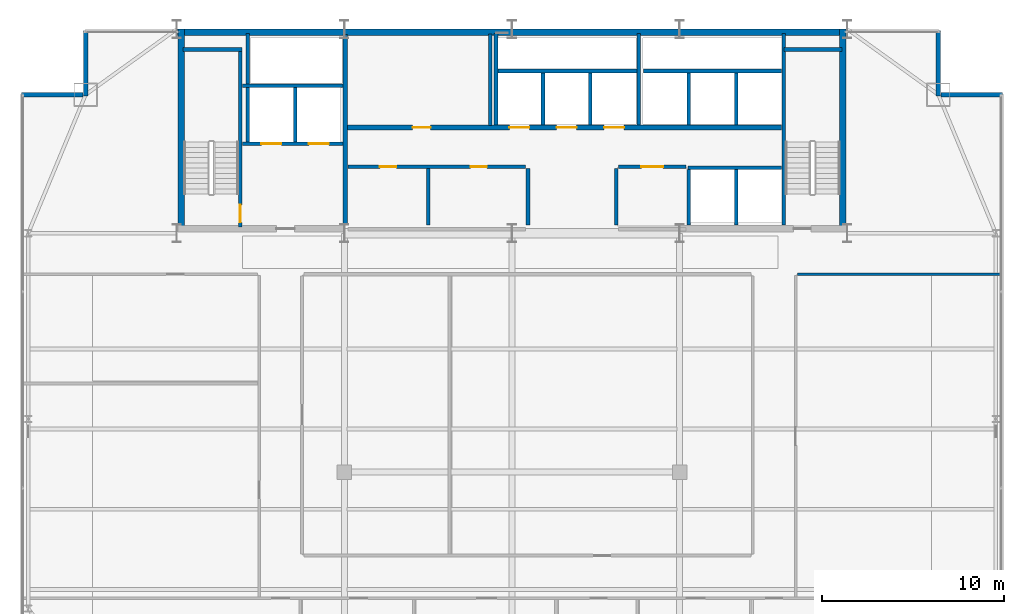
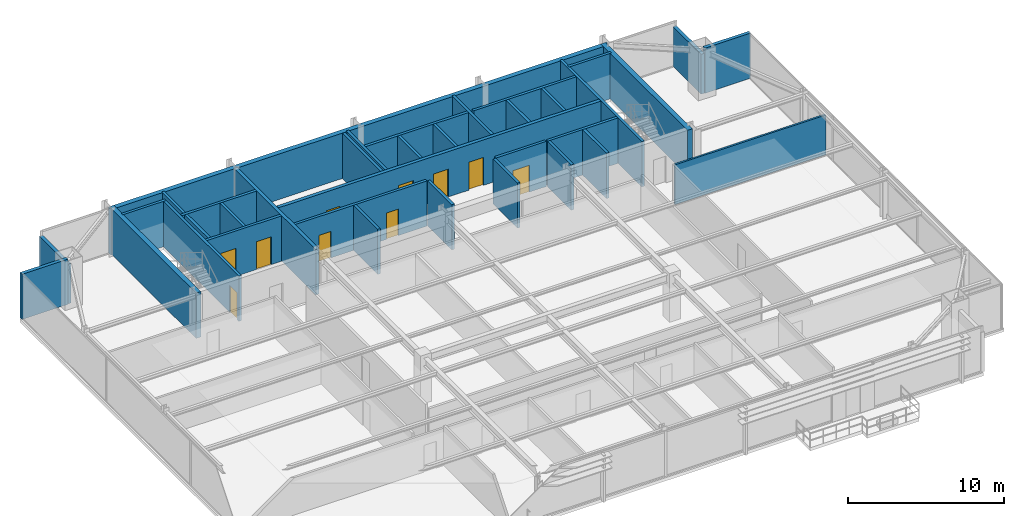
# One storey, part 27 of 30: 35 walls, 10 doors, 10 openings.
"""IFC4 building model written with IfcOpenShell, lengths in metres."""

from ifc_helpers import new_model, si_unit, direction, frame, frame_2d, origin, place, context, subcontext, project, spatial, rectangle, extrude, source, transform, mapped, material, layer, layer_set, type_object, type_shapes, element, fill, save


model = new_model("IFC4")

# Units and contexts
model_context = context("Model", 3, precision=1e-05, world=origin(), true_north=direction((0.0, 1.0)))
body_context = subcontext(model_context, "Body", "Model", "MODEL_VIEW")
ifc_project = project(units=[si_unit("LENGTHUNIT", "METRE"), si_unit("AREAUNIT", "SQUARE_METRE"), si_unit("VOLUMEUNIT", "CUBIC_METRE"), si_unit("PLANEANGLEUNIT", "RADIAN"), si_unit("MASSUNIT", "GRAM", prefix="KILO")], contexts=[model_context])

# Site, building, storey
site_placement = place(None, origin())
site = spatial("IfcSite", under=ifc_project, at=site_placement, CompositionType="ELEMENT")
building_placement = place(site_placement, origin())
building = spatial("IfcBuilding", under=site, at=building_placement, Name="Varnel Quay Broadcast Tower", CompositionType="ELEMENT")
storey_placement = place(building_placement, frame((0.0, 0.0, 168.60009765625)))
storey = spatial("IfcBuildingStorey", under=building, at=storey_placement, Name="L41", CompositionType="ELEMENT", Elevation=168.60009765625)

# Wall, opening, door
ifc_material_1 = material(Name="Concrete CSA A23.3 C50/60", Category="concrete")
ifc_layer_1 = layer(ifc_material_1, 0.199951171875, Name="Concrete CSA A23.3 C50/60")
ifc_layer_set_1 = layer_set([ifc_layer_1], Name="Concrete CSA A23.3 C50/60")
wall_type_1 = type_object("IfcWallType", Name="Wall_CoreShaftShear200", PredefinedType="SHEAR", material=ifc_layer_set_1)
wall_1_placement = place(storey_placement, frame((19.080078125, 35.949951171875, 0.0), z_axis=(0.0, 0.0, 1.0), x_axis=(0.0, 1.0, 0.0)))
wall_1 = element("IfcWall", 1, at=wall_1_placement, inside=storey, type_object=wall_type_1, Name="L41 Stair 1 East Structural Wall", PredefinedType="SHEAR", context=body_context, shape_type="SweptSolid", body=[
    extrude(rectangle(XDim=9.650146484375, YDim=0.199951171875, at=frame_2d((4.8251953125, 0.0))), origin(), (0.0, 0.0, 1.0), 3.5498046875),
])
opening_1_placement = place(wall_1_placement, frame((0.25, 0.0, 0.0)))
opening_1 = element("IfcOpeningElement", 2, at=opening_1_placement, cuts=wall_1, Name="Opening D-L41-S1", PredefinedType="OPENING", context=body_context, shape_type="SweptSolid", body=[
    extrude(rectangle(XDim=0.949951171875, YDim=2.10009765625, at=frame_2d((0.47509765625, 1.050048828125))), frame((0.0, 0.10986328125, 0.0), z_axis=(0.0, -1.0, 0.0), x_axis=(1.0, 0.0, 0.0)), (0.0, 0.0, 1.0), 0.219970703125),
])
ifc_material_2 = material(Name="Insulated Fire-Rated Hollow Steel Door", Category="steel")
door_type_1 = type_object("IfcDoorType", Name="Door_FireStair950", OperationType="NOTDEFINED", PredefinedType="DOOR", material=ifc_material_2)
shared_shape_1 = source(origin(), body_context, "Body", "SweptSolid", [
    extrude(rectangle(XDim=0.949951171875, YDim=2.10009765625, at=frame_2d((0.47509765625, 1.050048828125))), frame((0.0, 0.02490234375, 0.0), z_axis=(0.0, -1.0, 0.0), x_axis=(1.0, 0.0, 0.0)), (0.0, 0.0, 1.0), 0.050048828125),
])
type_shapes(door_type_1, [shared_shape_1])
door_1_placement = place(opening_1_placement, origin())
door_1 = element("IfcDoor", 3, at=door_1_placement, inside=storey, type_object=door_type_1, Name="L41 Stair 1 Fire Door", OperationType="SINGLE_SWING_RIGHT", OverallHeight=2.10009765625, OverallWidth=0.949951171875, PredefinedType="DOOR", context=body_context, shape_type="MappedRepresentation", body=[
    mapped(shared_shape_1, transform((0.0, 0.0, 0.0), x_axis=(1.0, 0.0, 0.0), y_axis=(0.0, 1.0, 0.0), z_axis=(0.0, 0.0, 1.0), scale=1.0)),
])
fill(opening_1, door_1)

# Wall
wall_2_placement = place(storey_placement, frame((15.949951171875, 45.679931640625, 0.0), z_axis=(0.0, 0.0, 1.0), x_axis=(1.0, 0.0, 0.0)))
element("IfcWall", 4, at=wall_2_placement, inside=storey, type_object=wall_type_1, Name="L41 Stair 1 North Structural Wall", PredefinedType="SHEAR", context=body_context, shape_type="SweptSolid", body=[
    extrude(rectangle(XDim=3.22998046875, YDim=0.199951171875, at=frame_2d((1.614990234375, 0.0))), origin(), (0.0, 0.0, 1.0), 3.5498046875),
])

# Wall, openings, doors
wall_3_placement = place(storey_placement, frame((19.199951171875, 40.5, 0.0), z_axis=(0.0, 0.0, 1.0), x_axis=(1.0, 0.0, 0.0)))
wall_3 = element("IfcWall", 5, at=wall_3_placement, inside=storey, type_object=wall_type_1, Name="L41 Firefighter Lift Shaft Front Wall", PredefinedType="SHEAR", context=body_context, shape_type="SweptSolid", body=[
    extrude(rectangle(XDim=5.52001953125, YDim=0.199951171875, at=frame_2d((2.760009765625, 0.0))), origin(), (0.0, 0.0, 1.0), 3.5498046875),
])
opening_2_placement = place(wall_3_placement, frame((1.050048828125, 0.0, 0.0)))
opening_2 = element("IfcOpeningElement", 6, at=opening_2_placement, cuts=wall_3, Name="Opening LD-L41-FE1", PredefinedType="OPENING", context=body_context, shape_type="SweptSolid", body=[
    extrude(rectangle(XDim=1.10009765625, YDim=2.179931640625, at=frame_2d((0.550048828125, 1.08984375))), frame((0.0, 0.10986328125, 0.0), z_axis=(0.0, -1.0, 0.0), x_axis=(1.0, 0.0, 0.0)), (0.0, 0.0, 1.0), 0.219970703125),
])
opening_3_placement = place(wall_3_placement, frame((3.64990234375, 0.0, 0.0)))
opening_3 = element("IfcOpeningElement", 7, at=opening_3_placement, cuts=wall_3, Name="Opening LD-L41-FE2", PredefinedType="OPENING", context=body_context, shape_type="SweptSolid", body=[
    extrude(rectangle(XDim=1.10009765625, YDim=2.179931640625, at=frame_2d((0.550048828125, 1.08984375))), frame((0.0, 0.10986328125, 0.0), z_axis=(0.0, -1.0, 0.0), x_axis=(1.0, 0.0, 0.0)), (0.0, 0.0, 1.0), 0.219970703125),
])
ifc_material_3 = material(Name="Brushed Bronze-Stainless Lift Car & Sliding Doors", Category="steel")
door_type_2 = type_object("IfcDoorType", Name="Door_LiftLanding1100", OperationType="SLIDING_TO_LEFT", PredefinedType="DOOR", material=ifc_material_3)
shared_shape_2 = source(origin(), body_context, "Body", "SweptSolid", [
    extrude(rectangle(XDim=1.10009765625, YDim=2.179931640625, at=frame_2d((0.550048828125, 1.08984375))), frame((0.0, 0.02490234375, 0.0), z_axis=(0.0, -1.0, 0.0), x_axis=(1.0, 0.0, 0.0)), (0.0, 0.0, 1.0), 0.050048828125),
])
type_shapes(door_type_2, [shared_shape_2])
door_2_placement = place(opening_2_placement, frame((1.10009765625, 0.0, 0.0), z_axis=(0.0, 0.0, 1.0), x_axis=(-1.0, 0.0, 0.0)))
door_2 = element("IfcDoor", 8, at=door_2_placement, inside=storey, type_object=door_type_2, Name="L41 Firefighter Lift FE-01 Landing Door", OperationType="SLIDING_TO_LEFT", OverallHeight=2.179931640625, OverallWidth=1.10009765625, PredefinedType="DOOR", context=body_context, shape_type="MappedRepresentation", body=[
    mapped(shared_shape_2, transform((0.0, 0.0, 0.0), x_axis=(1.0, 0.0, 0.0), y_axis=(0.0, 1.0, 0.0), z_axis=(0.0, 0.0, 1.0), scale=1.0)),
])
fill(opening_2, door_2)
door_3_placement = place(opening_3_placement, frame((1.10009765625, 0.0, 0.0), z_axis=(0.0, 0.0, 1.0), x_axis=(-1.0, 0.0, 0.0)))
door_3 = element("IfcDoor", 9, at=door_3_placement, inside=storey, type_object=door_type_2, Name="L41 Firefighter Lift FE-02 Landing Door", OperationType="SLIDING_TO_RIGHT", OverallHeight=2.179931640625, OverallWidth=1.10009765625, PredefinedType="DOOR", context=body_context, shape_type="MappedRepresentation", body=[
    mapped(shared_shape_2, transform((0.0, 0.0, 0.0), x_axis=(1.0, 0.0, 0.0), y_axis=(0.0, 1.0, 0.0), z_axis=(0.0, 0.0, 1.0), scale=1.0)),
])
fill(opening_3, door_3)

# Walls
wall_4_placement = place(storey_placement, frame((19.199951171875, 43.699951171875, 0.0), z_axis=(0.0, 0.0, 1.0), x_axis=(1.0, 0.0, 0.0)))
element("IfcWall", 10, at=wall_4_placement, inside=storey, type_object=wall_type_1, Name="L41 Firefighter Lift Shaft Rear Wall", PredefinedType="SHEAR", context=body_context, shape_type="SweptSolid", body=[
    extrude(rectangle(XDim=5.52001953125, YDim=0.199951171875, at=frame_2d((2.760009765625, 0.0))), origin(), (0.0, 0.0, 1.0), 3.5498046875),
])
wall_5_placement = place(storey_placement, frame((22.10009765625, 40.60009765625, 0.0), z_axis=(0.0, 0.0, 1.0), x_axis=(0.0, 1.0, 0.0)))
element("IfcWall", 11, at=wall_5_placement, inside=storey, type_object=wall_type_1, Name="L41 Firefighter Lift Shaft Divider", PredefinedType="SHEAR", context=body_context, shape_type="SweptSolid", body=[
    extrude(rectangle(XDim=3.0, YDim=0.199951171875, at=frame_2d((1.5, 0.0))), origin(), (0.0, 0.0, 1.0), 3.5498046875),
])
wall_6_placement = place(storey_placement, frame((19.5, 40.60009765625, 0.0), z_axis=(0.0, 0.0, 1.0), x_axis=(0.0, 1.0, 0.0)))
element("IfcWall", 12, at=wall_6_placement, inside=storey, type_object=wall_type_1, Name="L41 Firefighter Lift Shaft West Wall", PredefinedType="SHEAR", context=body_context, shape_type="SweptSolid", body=[
    extrude(rectangle(XDim=5.949951171875, YDim=0.199951171875, at=frame_2d((2.97509765625, 0.0))), origin(), (0.0, 0.0, 1.0), 3.5498046875),
])
wall_7_placement = place(storey_placement, frame((48.919921875, 36.050048828125, 0.0), z_axis=(0.0, 0.0, 1.0), x_axis=(0.0, 1.0, 0.0)))
element("IfcWall", 13, at=wall_7_placement, inside=storey, type_object=wall_type_1, Name="L41 Stair 2 West Structural Wall", PredefinedType="SHEAR", context=body_context, shape_type="SweptSolid", body=[
    extrude(rectangle(XDim=10.5, YDim=0.199951171875, at=frame_2d((5.25, 0.0))), origin(), (0.0, 0.0, 1.0), 3.5498046875),
])
wall_8_placement = place(storey_placement, frame((48.919921875, 45.679931640625, 0.0), z_axis=(0.0, 0.0, 1.0), x_axis=(1.0, 0.0, 0.0)))
element("IfcWall", 14, at=wall_8_placement, inside=storey, type_object=wall_type_1, Name="L41 Stair 2 North Structural Wall", PredefinedType="SHEAR", context=body_context, shape_type="SweptSolid", body=[
    extrude(rectangle(XDim=3.18017578125, YDim=0.199951171875, at=frame_2d((1.590087890625, 0.0))), origin(), (0.0, 0.0, 1.0), 3.5498046875),
])
wall_9_placement = place(storey_placement, frame((33.219970703125, 44.5, 0.0), z_axis=(0.0, 0.0, 1.0), x_axis=(1.0, 0.0, 0.0)))
element("IfcWall", 15, at=wall_9_placement, inside=storey, type_object=wall_type_1, Name="L41 Mid-Rise Lift Shaft Rear Wall", PredefinedType="SHEAR", context=body_context, shape_type="SweptSolid", body=[
    extrude(rectangle(XDim=7.630126953125, YDim=0.199951171875, at=frame_2d((3.81494140625, 0.0))), origin(), (0.0, 0.0, 1.0), 3.5498046875),
])
wall_10_placement = place(storey_placement, frame((33.1201171875, 41.530029296875, 0.0), z_axis=(0.0, 0.0, 1.0), x_axis=(0.0, 1.0, 0.0)))
element("IfcWall", 16, at=wall_10_placement, inside=storey, type_object=wall_type_1, Name="L41 Mid-Rise Lift Shaft Divider 1", PredefinedType="SHEAR", context=body_context, shape_type="SweptSolid", body=[
    extrude(rectangle(XDim=5.02001953125, YDim=0.199951171875, at=frame_2d((2.510009765625, 0.0))), origin(), (0.0, 0.0, 1.0), 3.5498046875),
])
for number, where, z_axis, x_axis, name in (
    (17, (35.699951171875, 41.530029296875, 0.0), (0.0, 0.0, 1.0), (0.0, 1.0, 0.0), "L41 Mid-Rise Lift Shaft Divider 2"),
    (18, (38.300048828125, 41.530029296875, 0.0), (0.0, 0.0, 1.0), (0.0, 1.0, 0.0), "L41 Mid-Rise Lift Shaft Divider 3"),
):
    element("IfcWall", number, at=place(storey_placement, frame(where, z_axis=z_axis, x_axis=x_axis)), inside=storey, type_object=wall_type_1, Name=name, PredefinedType="SHEAR", context=body_context, shape_type="SweptSolid", body=[
        extrude(rectangle(XDim=2.869873046875, YDim=0.199951171875, at=frame_2d((1.43505859375, 0.0))), origin(), (0.0, 0.0, 1.0), 3.5498046875),
    ])
wall_11_placement = place(storey_placement, frame((40.949951171875, 41.530029296875, 0.0), z_axis=(0.0, 0.0, 1.0), x_axis=(0.0, 1.0, 0.0)))
element("IfcWall", 19, at=wall_11_placement, inside=storey, type_object=wall_type_1, Name="L41 Mid-Rise Lift Shaft Divider 4", PredefinedType="SHEAR", context=body_context, shape_type="SweptSolid", body=[
    extrude(rectangle(XDim=5.02001953125, YDim=0.199951171875, at=frame_2d((2.510009765625, 0.0))), origin(), (0.0, 0.0, 1.0), 3.5498046875),
])
wall_12_placement = place(storey_placement, frame((41.219970703125, 44.5, 0.0), z_axis=(0.0, 0.0, 1.0), x_axis=(1.0, 0.0, 0.0)))
element("IfcWall", 20, at=wall_12_placement, inside=storey, type_object=wall_type_1, Name="L41 High-Rise Lift Shaft Rear Wall", PredefinedType="SHEAR", context=body_context, shape_type="SweptSolid", body=[
    extrude(rectangle(XDim=7.580078125, YDim=0.199951171875, at=frame_2d((3.7900390625, 0.0))), origin(), (0.0, 0.0, 1.0), 3.5498046875),
])
for number, where, z_axis, x_axis, name in (
    (21, (43.699951171875, 41.530029296875, 0.0), (0.0, 0.0, 1.0), (0.0, 1.0, 0.0), "L41 High-Rise Lift Shaft Divider 2"),
    (22, (46.300048828125, 41.530029296875, 0.0), (0.0, 0.0, 1.0), (0.0, 1.0, 0.0), "L41 High-Rise Lift Shaft Divider 3"),
):
    element("IfcWall", number, at=place(storey_placement, frame(where, z_axis=z_axis, x_axis=x_axis)), inside=storey, type_object=wall_type_1, Name=name, PredefinedType="SHEAR", context=body_context, shape_type="SweptSolid", body=[
        extrude(rectangle(XDim=2.869873046875, YDim=0.199951171875, at=frame_2d((1.43505859375, 0.0))), origin(), (0.0, 0.0, 1.0), 3.5498046875),
    ])
for number, where, z_axis, x_axis, name in (
    (23, (43.699951171875, 36.050048828125, 0.0), (0.0, 0.0, 1.0), (0.0, 1.0, 0.0), "L41 Express Lift Shaft West Wall"),
    (24, (46.300048828125, 36.050048828125, 0.0), (0.0, 0.0, 1.0), (0.0, 1.0, 0.0), "L41 Express Lift Shaft Divider"),
):
    element("IfcWall", number, at=place(storey_placement, frame(where, z_axis=z_axis, x_axis=x_axis)), inside=storey, type_object=wall_type_1, Name=name, PredefinedType="SHEAR", context=body_context, shape_type="SweptSolid", body=[
        extrude(rectangle(XDim=3.050048828125, YDim=0.199951171875, at=frame_2d((1.52490234375, 0.0))), origin(), (0.0, 0.0, 1.0), 3.5498046875),
    ])
wall_13_placement = place(storey_placement, frame((43.64990234375, 39.199951171875, 0.0), z_axis=(0.0, 0.0, 1.0), x_axis=(1.0, 0.0, 0.0)))
element("IfcWall", 25, at=wall_13_placement, inside=storey, type_object=wall_type_1, Name="L41 Express Lift Shaft North Front Wall", PredefinedType="SHEAR", context=body_context, shape_type="SweptSolid", body=[
    extrude(rectangle(XDim=5.150146484375, YDim=0.199951171875, at=frame_2d((2.5751953125, 0.0))), origin(), (0.0, 0.0, 1.0), 3.5498046875),
])
ifc_layer_2 = layer(ifc_material_1, 0.25, Name="Concrete CSA A23.3 C50/60")
ifc_layer_set_2 = layer_set([ifc_layer_2], Name="Concrete CSA A23.3 C50/60")
wall_type_2 = type_object("IfcWallType", Name="Wall_CoreShaftShear250", PredefinedType="SHEAR", material=ifc_layer_set_2)
wall_14_placement = place(storey_placement, frame((24.85009765625, 36.050048828125, 0.0), z_axis=(0.0, 0.0, 1.0), x_axis=(0.0, 1.0, 0.0)))
element("IfcWall", 26, at=wall_14_placement, inside=storey, type_object=wall_type_2, Name="L41 Firefighting Lobby East Structural Wall", PredefinedType="SHEAR", context=body_context, shape_type="SweptSolid", body=[
    extrude(rectangle(XDim=10.449951171875, YDim=0.25, at=frame_2d((5.22509765625, 0.0))), origin(), (0.0, 0.0, 1.0), 3.5498046875),
])

# Wall, openings, doors
wall_15_placement = place(storey_placement, frame((24.97998046875, 41.39990234375, 0.0), z_axis=(0.0, 0.0, 1.0), x_axis=(1.0, 0.0, 0.0)))
wall_15 = element("IfcWall", 27, at=wall_15_placement, inside=storey, type_object=wall_type_2, Name="L41 North Lift Bank & Reclaimed Suite Wall", PredefinedType="SHEAR", context=body_context, shape_type="SweptSolid", body=[
    extrude(rectangle(XDim=23.820068359375, YDim=0.25, at=frame_2d((11.91015625, 0.0))), origin(), (0.0, 0.0, 1.0), 3.5498046875),
])
opening_4_placement = place(wall_15_placement, frame((8.8701171875, 0.0, 0.0)))
opening_4 = element("IfcOpeningElement", 28, at=opening_4_placement, cuts=wall_15, Name="Opening LD-L41-PM-01", PredefinedType="OPENING", context=body_context, shape_type="SweptSolid", body=[
    extrude(rectangle(XDim=1.10009765625, YDim=2.179931640625, at=frame_2d((0.550048828125, 1.08984375))), frame((0.0, 0.135009765625, 0.0), z_axis=(0.0, -1.0, 0.0), x_axis=(1.0, 0.0, 0.0)), (0.0, 0.0, 1.0), 0.27001953125),
])
opening_5_placement = place(wall_15_placement, frame((11.469970703125, 0.0, 0.0)))
opening_5 = element("IfcOpeningElement", 29, at=opening_5_placement, cuts=wall_15, Name="Opening LD-L41-PM-02", PredefinedType="OPENING", context=body_context, shape_type="SweptSolid", body=[
    extrude(rectangle(XDim=1.10009765625, YDim=2.179931640625, at=frame_2d((0.550048828125, 1.08984375))), frame((0.0, 0.135009765625, 0.0), z_axis=(0.0, -1.0, 0.0), x_axis=(1.0, 0.0, 0.0)), (0.0, 0.0, 1.0), 0.27001953125),
])
opening_6_placement = place(wall_15_placement, frame((14.070068359375, 0.0, 0.0)))
opening_6 = element("IfcOpeningElement", 30, at=opening_6_placement, cuts=wall_15, Name="Opening LD-L41-PM-03", PredefinedType="OPENING", context=body_context, shape_type="SweptSolid", body=[
    extrude(rectangle(XDim=1.10009765625, YDim=2.179931640625, at=frame_2d((0.550048828125, 1.08984375))), frame((0.0, 0.135009765625, 0.0), z_axis=(0.0, -1.0, 0.0), x_axis=(1.0, 0.0, 0.0)), (0.0, 0.0, 1.0), 0.27001953125),
])
opening_7_placement = place(wall_15_placement, frame((3.56005859375, 0.0, 0.0)))
opening_7 = element("IfcOpeningElement", 31, at=opening_7_placement, cuts=wall_15, Name="Opening D-L41-RECA1", PredefinedType="OPENING", context=body_context, shape_type="SweptSolid", body=[
    extrude(rectangle(XDim=1.0, YDim=2.080078125, at=frame_2d((0.5, 1.0400390625))), frame((0.0, 0.135009765625, 0.0), z_axis=(0.0, -1.0, 0.0), x_axis=(1.0, 0.0, 0.0)), (0.0, 0.0, 1.0), 0.27001953125),
])
door_4_placement = place(opening_4_placement, frame((1.10009765625, 0.0, 0.0), z_axis=(0.0, 0.0, 1.0), x_axis=(-1.0, 0.0, 0.0)))
door_4 = element("IfcDoor", 32, at=door_4_placement, inside=storey, type_object=door_type_2, Name="L41 Lift PM-01 Landing Door", OperationType="SLIDING_TO_LEFT", OverallHeight=2.179931640625, OverallWidth=1.10009765625, PredefinedType="DOOR", context=body_context, shape_type="MappedRepresentation", body=[
    mapped(shared_shape_2, transform((0.0, 0.0, 0.0), x_axis=(1.0, 0.0, 0.0), y_axis=(0.0, 1.0, 0.0), z_axis=(0.0, 0.0, 1.0), scale=1.0)),
])
fill(opening_4, door_4)
door_5_placement = place(opening_5_placement, frame((1.10009765625, 0.0, 0.0), z_axis=(0.0, 0.0, 1.0), x_axis=(-1.0, 0.0, 0.0)))
door_5 = element("IfcDoor", 33, at=door_5_placement, inside=storey, type_object=door_type_2, Name="L41 Lift PM-02 Landing Door", OperationType="SLIDING_TO_LEFT", OverallHeight=2.179931640625, OverallWidth=1.10009765625, PredefinedType="DOOR", context=body_context, shape_type="MappedRepresentation", body=[
    mapped(shared_shape_2, transform((0.0, 0.0, 0.0), x_axis=(1.0, 0.0, 0.0), y_axis=(0.0, 1.0, 0.0), z_axis=(0.0, 0.0, 1.0), scale=1.0)),
])
fill(opening_5, door_5)
door_6_placement = place(opening_6_placement, frame((1.10009765625, 0.0, 0.0), z_axis=(0.0, 0.0, 1.0), x_axis=(-1.0, 0.0, 0.0)))
door_6 = element("IfcDoor", 34, at=door_6_placement, inside=storey, type_object=door_type_2, Name="L41 Lift PM-03 Landing Door", OperationType="SLIDING_TO_LEFT", OverallHeight=2.179931640625, OverallWidth=1.10009765625, PredefinedType="DOOR", context=body_context, shape_type="MappedRepresentation", body=[
    mapped(shared_shape_2, transform((0.0, 0.0, 0.0), x_axis=(1.0, 0.0, 0.0), y_axis=(0.0, 1.0, 0.0), z_axis=(0.0, 0.0, 1.0), scale=1.0)),
])
fill(opening_6, door_6)
door_type_3 = type_object("IfcDoorType", Name="Door_FireLobby1000", OperationType="NOTDEFINED", PredefinedType="DOOR", material=ifc_material_2)
shared_shape_3 = source(origin(), body_context, "Body", "SweptSolid", [
    extrude(rectangle(XDim=1.0, YDim=2.080078125, at=frame_2d((0.5, 1.0400390625))), frame((0.0, 0.02490234375, 0.0), z_axis=(0.0, -1.0, 0.0), x_axis=(1.0, 0.0, 0.0)), (0.0, 0.0, 1.0), 0.050048828125),
])
type_shapes(door_type_3, [shared_shape_3])
door_7_placement = place(opening_7_placement, origin())
door_7 = element("IfcDoor", 35, at=door_7_placement, inside=storey, type_object=door_type_3, Name="L41 Broadcast Ingest Server Hall Door", OperationType="SINGLE_SWING_LEFT", OverallHeight=2.080078125, OverallWidth=1.0, PredefinedType="DOOR", context=body_context, shape_type="MappedRepresentation", body=[
    mapped(shared_shape_3, transform((0.0, 0.0, 0.0), x_axis=(1.0, 0.0, 0.0), y_axis=(0.0, 1.0, 0.0), z_axis=(0.0, 0.0, 1.0), scale=1.0)),
])
fill(opening_7, door_7)

# Walls
ifc_layer_3 = layer(ifc_material_1, 0.35009765625, Name="Concrete CSA A23.3 C50/60")
ifc_layer_set_3 = layer_set([ifc_layer_3], Name="Concrete CSA A23.3 C50/60")
wall_type_3 = type_object("IfcWallType", Name="Wall_CoreShearExt350", PredefinedType="SHEAR", material=ifc_layer_set_3)
wall_16_placement = place(storey_placement, frame((15.60009765625, 46.625, 0.0), z_axis=(0.0, 0.0, 1.0), x_axis=(1.0, 0.0, 0.0)))
element("IfcWall", 36, at=wall_16_placement, inside=storey, type_object=wall_type_3, Name="L41 North Core Shear Wall", PredefinedType="SHEAR", context=body_context, shape_type="SweptSolid", body=[
    extrude(rectangle(XDim=36.7998046875, YDim=0.35009765625, at=frame_2d((18.39990234375, 0.0))), origin(), (0.0, 0.0, 1.0), 3.5498046875),
])
ifc_layer_4 = layer(ifc_material_1, 0.35009765625, Name="Concrete CSA A23.3 C50/60")
ifc_layer_set_4 = layer_set([ifc_layer_4], Name="Concrete CSA A23.3 C50/60")
wall_type_4 = type_object("IfcWallType", Name="Wall_CoreShearInt350", PredefinedType="SHEAR", material=ifc_layer_set_4)
for number, where, z_axis, x_axis, name in (
    (37, (15.844970703125, 35.669921875, 0.0), (0.0, 0.0, 1.0), (0.0, 1.0, 0.0), "L41 West Core Shear Wall"),
    (38, (52.155029296875, 35.669921875, 0.0), (0.0, 0.0, 1.0), (0.0, 1.0, 0.0), "L41 East Core Shear Wall"),
):
    element("IfcWall", number, at=place(storey_placement, frame(where, z_axis=z_axis, x_axis=x_axis)), inside=storey, type_object=wall_type_4, Name=name, PredefinedType="SHEAR", context=body_context, shape_type="SweptSolid", body=[
        extrude(rectangle(XDim=11.130126953125, YDim=0.35009765625, at=frame_2d((5.56494140625, 0.0))), origin(), (0.0, 0.0, 1.0), 3.5498046875),
    ])
ifc_material_4 = material(Name="Precast Architectural Concrete C40/50", Category="concrete")
ifc_layer_5 = layer(ifc_material_4, 0.25, Name="Precast Architectural Concrete C40/50")
ifc_layer_set_5 = layer_set([ifc_layer_5], Name="Precast Architectural Concrete C40/50")
wall_type_5 = type_object("IfcWallType", Name="Wall_ExtTerrace250", PredefinedType="SOLIDWALL", material=ifc_layer_set_5)
wall_17_placement = place(storey_placement, frame((7.080078125, 43.199951171875, 0.0), z_axis=(0.0, 0.0, 1.0), x_axis=(1.0, 0.0, 0.0)))
element("IfcWall", 39, at=wall_17_placement, inside=storey, type_object=wall_type_5, Name="L41 Mega-Column Notch Cladding Wall NNW1", PredefinedType="SOLIDWALL", context=body_context, shape_type="SweptSolid", body=[
    extrude(rectangle(XDim=3.389892578125, YDim=0.25, at=frame_2d((1.69482421875, 0.0))), origin(), (0.0, 0.0, 1.0), 3.52978515625),
])
wall_18_placement = place(storey_placement, frame((10.60009765625, 43.1201171875, 0.0), z_axis=(0.0, 0.0, 1.0), x_axis=(0.0, 1.0, 0.0)))
element("IfcWall", 40, at=wall_18_placement, inside=storey, type_object=wall_type_5, Name="L41 Mega-Column Notch Cladding Wall NNW2", PredefinedType="SOLIDWALL", context=body_context, shape_type="SweptSolid", body=[
    extrude(rectangle(XDim=3.599853515625, YDim=0.25, at=frame_2d((1.7998046875, 0.0))), origin(), (0.0, 0.0, 1.0), 3.10791015625),
])
wall_19_placement = place(storey_placement, frame((57.530029296875, 43.199951171875, 0.0), z_axis=(0.0, 0.0, 1.0), x_axis=(1.0, 0.0, 0.0)))
element("IfcWall", 41, at=wall_19_placement, inside=storey, type_object=wall_type_5, Name="L41 Mega-Column Notch Cladding Wall NNE1", PredefinedType="SOLIDWALL", context=body_context, shape_type="SweptSolid", body=[
    extrude(rectangle(XDim=3.389892578125, YDim=0.25, at=frame_2d((1.69482421875, 0.0))), origin(), (0.0, 0.0, 1.0), 3.52978515625),
])
wall_20_placement = place(storey_placement, frame((57.39990234375, 43.1201171875, 0.0), z_axis=(0.0, 0.0, 1.0), x_axis=(0.0, 1.0, 0.0)))
element("IfcWall", 42, at=wall_20_placement, inside=storey, type_object=wall_type_5, Name="L41 Mega-Column Notch Cladding Wall NNE2", PredefinedType="SOLIDWALL", context=body_context, shape_type="SweptSolid", body=[
    extrude(rectangle(XDim=3.599853515625, YDim=0.25, at=frame_2d((1.7998046875, 0.0))), origin(), (0.0, 0.0, 1.0), 3.10791015625),
])

# Wall, opening, door
ifc_material_5 = material(Name="Concrete Blockwork Fire Enclosure C40/50", Category="masonry")
ifc_layer_6 = layer(ifc_material_5, 0.199951171875, Name="Concrete Blockwork Fire Enclosure C40/50")
ifc_layer_set_6 = layer_set([ifc_layer_6], Name="Concrete Blockwork Fire Enclosure C40/50")
wall_type_6 = type_object("IfcWallType", Name="Wall_FireShaft200", PredefinedType="SOLIDWALL", material=ifc_layer_set_6)
wall_21_placement = place(storey_placement, frame((39.85009765625, 39.25, 0.0), z_axis=(0.0, 0.0, 1.0), x_axis=(1.0, 0.0, 0.0)))
wall_21 = element("IfcWall", 43, at=wall_21_placement, inside=storey, type_object=wall_type_6, Name="L41 Electrical Sub-Distribution Closet Partition 6", PredefinedType="SOLIDWALL", context=body_context, shape_type="SweptSolid", body=[
    extrude(rectangle(XDim=3.699951171875, YDim=0.199951171875, at=frame_2d((1.85009765625, 0.0))), origin(), (0.0, 0.0, 1.0), 3.52978515625),
])
opening_8_placement = place(wall_21_placement, frame((1.25, 0.0, 0.0)))
opening_8 = element("IfcOpeningElement", 44, at=opening_8_placement, cuts=wall_21, Name="Opening D-L41-03", PredefinedType="OPENING", context=body_context, shape_type="SweptSolid", body=[
    extrude(rectangle(XDim=1.199951171875, YDim=2.10009765625, at=frame_2d((0.60009765625, 1.050048828125))), frame((0.0, 0.10986328125, 0.0), z_axis=(0.0, -1.0, 0.0), x_axis=(1.0, 0.0, 0.0)), (0.0, 0.0, 1.0), 0.219970703125),
])
door_type_4 = type_object("IfcDoorType", Name="Door_Plant1200", OperationType="NOTDEFINED", PredefinedType="DOOR", material=ifc_material_2)
shared_shape_4 = source(origin(), body_context, "Body", "SweptSolid", [
    extrude(rectangle(XDim=1.199951171875, YDim=2.10009765625, at=frame_2d((0.60009765625, 1.050048828125))), frame((0.0, 0.02490234375, 0.0), z_axis=(0.0, -1.0, 0.0), x_axis=(1.0, 0.0, 0.0)), (0.0, 0.0, 1.0), 0.050048828125),
])
type_shapes(door_type_4, [shared_shape_4])
door_8_placement = place(opening_8_placement, origin())
door_8 = element("IfcDoor", 45, at=door_8_placement, inside=storey, type_object=door_type_4, Name="L41 Electrical Sub-Distribution Closet Door D-L41-03", OperationType="SINGLE_SWING_RIGHT", OverallHeight=2.10009765625, OverallWidth=1.199951171875, PredefinedType="DOOR", context=body_context, shape_type="MappedRepresentation", body=[
    mapped(shared_shape_4, transform((0.0, 0.0, 0.0), x_axis=(1.0, 0.0, 0.0), y_axis=(0.0, 1.0, 0.0), z_axis=(0.0, 0.0, 1.0), scale=1.0)),
])
fill(opening_8, door_8)

# Walls
wall_22_placement = place(storey_placement, frame((39.72509765625, 36.050048828125, 0.0), z_axis=(0.0, 0.0, 1.0), x_axis=(0.0, 1.0, 0.0)))
element("IfcWall", 46, at=wall_22_placement, inside=storey, type_object=wall_type_6, Name="L41 Electrical Sub-Distribution Closet Partition 7", PredefinedType="SOLIDWALL", context=body_context, shape_type="SweptSolid", body=[
    extrude(rectangle(XDim=3.099853515625, YDim=0.199951171875, at=frame_2d((1.5498046875, 0.0))), origin(), (0.0, 0.0, 1.0), 3.52978515625),
])
wall_23_placement = place(storey_placement, frame((32.800048828125, 41.5, 0.0), z_axis=(0.0, 0.0, 1.0), x_axis=(0.0, 1.0, 0.0)))
element("IfcWall", 47, at=wall_23_placement, inside=storey, type_object=wall_type_6, Name="L41 Broadcast Ingest Server Hall Partition 24", PredefinedType="SOLIDWALL", context=body_context, shape_type="SweptSolid", body=[
    extrude(rectangle(XDim=5.02001953125, YDim=0.199951171875, at=frame_2d((2.510009765625, 0.0))), origin(), (0.0, 0.0, 1.0), 3.52978515625),
])
ifc_material_6 = material(Name="Steel-Stud Fire-Rated Acoustic Gypsum Partition Assembly", Category="steel")
ifc_layer_7 = layer(ifc_material_6, 0.139892578125, Name="Steel-Stud Fire-Rated Acoustic Gypsum Partition Assembly")
ifc_layer_set_7 = layer_set([ifc_layer_7], Name="Steel-Stud Fire-Rated Acoustic Gypsum Partition Assembly")
wall_type_7 = type_object("IfcWallType", Name="Wall_Partition140", PredefinedType="PARTITIONING", material=ifc_layer_set_7)
wall_24_placement = place(storey_placement, frame((49.659912109375, 33.35009765625, 0.0), z_axis=(0.0, 0.0, 1.0), x_axis=(1.0, 0.0, 0.0)))
element("IfcWall", 48, at=wall_24_placement, inside=storey, type_object=wall_type_7, Name="L41 Press Green Lounge 11 Partition 22", PredefinedType="PARTITIONING", context=body_context, shape_type="SweptSolid", body=[
    extrude(rectangle(XDim=11.16015625, YDim=0.139892578125, at=frame_2d((5.580078125, 0.0))), origin(), (0.0, 0.0, 1.0), 3.10791015625),
])
ifc_material_7 = material(Name="Fire-Rated Moisture-Resistant Plumbing Chase Partition")
ifc_layer_8 = layer(ifc_material_7, 0.199951171875, Name="Fire-Rated Moisture-Resistant Plumbing Chase Partition")
ifc_layer_set_8 = layer_set([ifc_layer_8], Name="Fire-Rated Moisture-Resistant Plumbing Chase Partition")
wall_type_8 = type_object("IfcWallType", Name="Wall_Plumbing200", PredefinedType="PLUMBINGWALL", material=ifc_layer_set_8)
wall_25_placement = place(storey_placement, frame((29.39990234375, 36.050048828125, 0.0), z_axis=(0.0, 0.0, 1.0), x_axis=(0.0, 1.0, 0.0)))
element("IfcWall", 49, at=wall_25_placement, inside=storey, type_object=wall_type_8, Name="L41 Accessible Washroom Partition 2", PredefinedType="PLUMBINGWALL", context=body_context, shape_type="SweptSolid", body=[
    extrude(rectangle(XDim=3.099853515625, YDim=0.199951171875, at=frame_2d((1.5498046875, 0.0))), origin(), (0.0, 0.0, 1.0), 3.52978515625),
])

# Wall, openings, doors
wall_26_placement = place(storey_placement, frame((25.0, 39.25, 0.0), z_axis=(0.0, 0.0, 1.0), x_axis=(1.0, 0.0, 0.0)))
wall_26 = element("IfcWall", 50, at=wall_26_placement, inside=storey, type_object=wall_type_8, Name="L41 Accessible Washroom Partition 3", PredefinedType="PLUMBINGWALL", context=body_context, shape_type="SweptSolid", body=[
    extrude(rectangle(XDim=9.75, YDim=0.199951171875, at=frame_2d((4.875, 0.0))), origin(), (0.0, 0.0, 1.0), 3.52978515625),
])
opening_9_placement = place(wall_26_placement, frame((1.75, 0.0, 0.0)))
opening_9 = element("IfcOpeningElement", 51, at=opening_9_placement, cuts=wall_26, Name="Opening D-L41-01", PredefinedType="OPENING", context=body_context, shape_type="SweptSolid", body=[
    extrude(rectangle(XDim=0.89990234375, YDim=2.06005859375, at=frame_2d((0.449951171875, 1.030029296875))), frame((0.0, 0.10986328125, 0.0), z_axis=(0.0, -1.0, 0.0), x_axis=(1.0, 0.0, 0.0)), (0.0, 0.0, 1.0), 0.219970703125),
])
opening_10_placement = place(wall_26_placement, frame((6.72509765625, 0.0, 0.0)))
opening_10 = element("IfcOpeningElement", 52, at=opening_10_placement, cuts=wall_26, Name="Opening D-L41-02", PredefinedType="OPENING", context=body_context, shape_type="SweptSolid", body=[
    extrude(rectangle(XDim=0.89990234375, YDim=2.06005859375, at=frame_2d((0.449951171875, 1.030029296875))), frame((0.0, 0.10986328125, 0.0), z_axis=(0.0, -1.0, 0.0), x_axis=(1.0, 0.0, 0.0)), (0.0, 0.0, 1.0), 0.219970703125),
])
ifc_material_8 = material(Name="Solid-Core Fire-Rated Acoustic Oak Veneer Door", Category="wood")
door_type_5 = type_object("IfcDoorType", Name="Door_Washroom900", OperationType="NOTDEFINED", PredefinedType="DOOR", material=ifc_material_8)
shared_shape_5 = source(origin(), body_context, "Body", "SweptSolid", [
    extrude(rectangle(XDim=0.89990234375, YDim=2.06005859375, at=frame_2d((0.449951171875, 1.030029296875))), frame((0.0, 0.02490234375, 0.0), z_axis=(0.0, -1.0, 0.0), x_axis=(1.0, 0.0, 0.0)), (0.0, 0.0, 1.0), 0.050048828125),
])
type_shapes(door_type_5, [shared_shape_5])
door_9_placement = place(opening_9_placement, frame((0.89990234375, 0.0, 0.0), z_axis=(0.0, 0.0, 1.0), x_axis=(-1.0, 0.0, 0.0)))
door_9 = element("IfcDoor", 53, at=door_9_placement, inside=storey, type_object=door_type_5, Name="L41 Accessible Washroom Door D-L41-01", OperationType="SINGLE_SWING_RIGHT", OverallHeight=2.06005859375, OverallWidth=0.89990234375, PredefinedType="DOOR", context=body_context, shape_type="MappedRepresentation", body=[
    mapped(shared_shape_5, transform((0.0, 0.0, 0.0), x_axis=(1.0, 0.0, 0.0), y_axis=(0.0, 1.0, 0.0), z_axis=(0.0, 0.0, 1.0), scale=1.0)),
])
fill(opening_9, door_9)
door_10_placement = place(opening_10_placement, frame((0.89990234375, 0.0, 0.0), z_axis=(0.0, 0.0, 1.0), x_axis=(-1.0, 0.0, 0.0)))
door_10 = element("IfcDoor", 54, at=door_10_placement, inside=storey, type_object=door_type_5, Name="L41 Staff Washrooms Door D-L41-02", OperationType="SINGLE_SWING_LEFT", OverallHeight=2.06005859375, OverallWidth=0.89990234375, PredefinedType="DOOR", context=body_context, shape_type="MappedRepresentation", body=[
    mapped(shared_shape_5, transform((0.0, 0.0, 0.0), x_axis=(1.0, 0.0, 0.0), y_axis=(0.0, 1.0, 0.0), z_axis=(0.0, 0.0, 1.0), scale=1.0)),
])
fill(opening_10, door_10)

# Wall
wall_27_placement = place(storey_placement, frame((34.875, 36.050048828125, 0.0), z_axis=(0.0, 0.0, 1.0), x_axis=(0.0, 1.0, 0.0)))
element("IfcWall", 55, at=wall_27_placement, inside=storey, type_object=wall_type_8, Name="L41 Staff Washrooms Partition 4", PredefinedType="PLUMBINGWALL", context=body_context, shape_type="SweptSolid", body=[
    extrude(rectangle(XDim=3.099853515625, YDim=0.199951171875, at=frame_2d((1.5498046875, 0.0))), origin(), (0.0, 0.0, 1.0), 3.52978515625),
])

save(model, "model.ifc")
